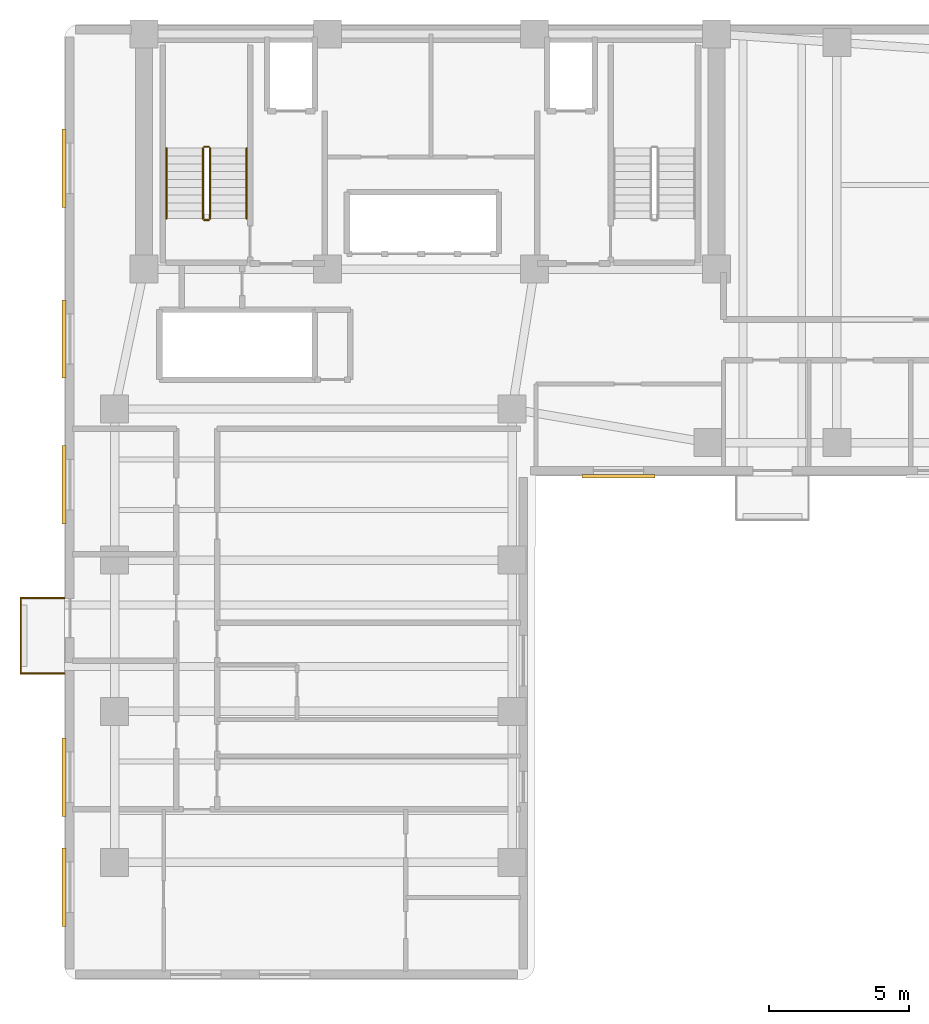
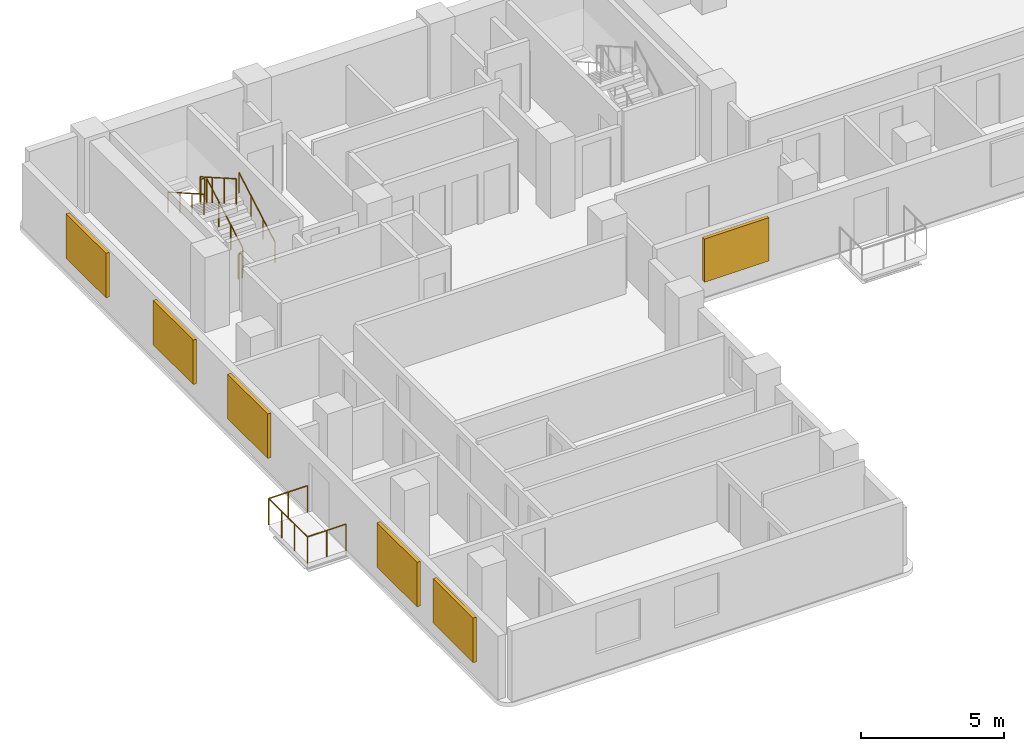
# One storey, part 6 of 7: 9 railings, 6 shading devices.
"""IFC4 building model written with IfcOpenShell, lengths in metres."""

import ifcopenshell
import ifcopenshell.guid

model = None  # the IFC model being written
_history = None  # IfcOwnerHistory: only IFC2X3 demands one
_inside = {}  # id of a spatial element -> (the spatial element, [elements in it])
_under = {}  # id of a project, library or spatial element -> (it, [spatial elements below it])
_declared = {}  # id of a project -> (the project, [libraries it declares])
_typed = {}  # id of a type object -> (the type object, [elements of that type])
_made_of = {}  # id of a material, layer set ... -> (it, [elements and type objects made of it])


def new_model(schema):
    """Start an empty IFC model of exactly this schema.

    Asked for "IFC4X3", IfcOpenShell would pick the latest addendum, in which some entities
    have other attributes; the version numbers below select the first issue.
    IFC2X3 requires an IfcOwnerHistory on every rooted entity: one is made here for all.
    """
    global model, _history
    if schema == "IFC4X3":
        model = ifcopenshell.file(schema_version=(4, 3, 0, 0))
    else:
        model = ifcopenshell.file(schema=schema)
    _inside.clear()
    _under.clear()
    _declared.clear()
    _typed.clear()
    _made_of.clear()
    _history = None
    if model.schema == "IFC2X3":
        org = make("IfcOrganization", Name="unknown")
        user = make(
            "IfcPersonAndOrganization",
            ThePerson=make("IfcPerson", FamilyName="unknown"),
            TheOrganization=org,
        )
        app = make(
            "IfcApplication",
            ApplicationDeveloper=org,
            Version="unknown",
            ApplicationFullName="unknown",
            ApplicationIdentifier="unknown",
        )
        _history = make(
            "IfcOwnerHistory",
            OwningUser=user,
            OwningApplication=app,
            ChangeAction="ADDED",
            CreationDate=0,
        )
    return model


def make(cls, **values):
    """One entity of the class cls with the attributes given. An attribute that is None is left unset."""
    return model.create_entity(
        cls, **{name: value for name, value in values.items() if value is not None}
    )


def rooted(cls, **values):
    """An entity with a GlobalId (a new one), such as an element, a storey or a relation."""
    return make(cls, GlobalId=ifcopenshell.guid.new(), OwnerHistory=_history, **values)


def si_unit(unit_type, name, prefix=None):
    """IfcSIUnit, for example si_unit("LENGTHUNIT", "METRE", prefix="MILLI")."""
    return make("IfcSIUnit", UnitType=unit_type, Prefix=prefix, Name=name)


def assignment(units):
    """IfcUnitAssignment: the units of a project."""
    return None if units is None else make("IfcUnitAssignment", Units=units)


def point(xyz):
    """IfcCartesianPoint."""
    return None if xyz is None else make("IfcCartesianPoint", Coordinates=xyz)


def direction(xyz):
    """IfcDirection."""
    return None if xyz is None else make("IfcDirection", DirectionRatios=xyz)


def frame(location, z_axis=None, x_axis=None):
    """IfcAxis2Placement3D, a coordinate frame: its origin and axes. An axis left out is left unset."""
    return make(
        "IfcAxis2Placement3D",
        Location=point(location),
        Axis=direction(z_axis),
        RefDirection=direction(x_axis),
    )


def frame_2d(location, x_axis=None):
    """IfcAxis2Placement2D, a coordinate frame in the plane: its origin and x axis."""
    return make(
        "IfcAxis2Placement2D", Location=point(location), RefDirection=direction(x_axis)
    )


def origin():
    """The frame at (0, 0, 0) with its axes left unset."""
    return frame((0.0, 0.0, 0.0))


def origin_2d():
    """The frame at (0, 0) in the plane with its x axis left unset."""
    return frame_2d((0.0, 0.0))


def place(relative_to, where):
    """IfcLocalPlacement: puts the frame where relative to a parent placement (None: the world)."""
    return make(
        "IfcLocalPlacement", PlacementRelTo=relative_to, RelativePlacement=where
    )


def context(
    kind, dimensions, precision=None, world=None, true_north=None, identifier=None
):
    """IfcGeometricRepresentationContext, for example the 3D "Model" context."""
    return make(
        "IfcGeometricRepresentationContext",
        ContextIdentifier=identifier,
        ContextType=kind,
        CoordinateSpaceDimension=dimensions,
        Precision=precision,
        WorldCoordinateSystem=world,
        TrueNorth=true_north,
    )


def subcontext(parent, identifier, kind, view, scale=None):
    """IfcGeometricRepresentationSubContext, for example "Body" below "Model"."""
    return make(
        "IfcGeometricRepresentationSubContext",
        ContextIdentifier=identifier,
        ContextType=kind,
        ParentContext=parent,
        TargetScale=scale,
        TargetView=view,
    )


def project(units=None, contexts=None):
    """IfcProject with its units and contexts."""
    return rooted(
        "IfcProject",
        Name="project",
        RepresentationContexts=contexts,
        UnitsInContext=assignment(units),
    )


def spatial(cls, under=None, at=None, **own):
    """A site, building, storey or space (cls), placed at a placement, below another one or the project."""
    s = rooted(cls, ObjectPlacement=at, **own)
    if under is not None:
        _under.setdefault(under.id(), (under, []))[1].append(s)
    return s


def profile(cls, at=None, kind="AREA", **sizes):
    """A parametric profile (cls). Its sizes go by their IFC names, for example OverallWidth=200.0."""
    return make(cls, ProfileType=kind, Position=at, **sizes)


def rectangle(**sizes):
    """IfcRectangleProfileDef."""
    return profile("IfcRectangleProfileDef", **sizes)


def circle(**sizes):
    """IfcCircleProfileDef."""
    return profile("IfcCircleProfileDef", **sizes)


def extrude(swept, where, along, depth):
    """IfcExtrudedAreaSolid: the profile swept, set in the frame where, extruded along a direction by depth."""
    return make(
        "IfcExtrudedAreaSolid",
        SweptArea=swept,
        Position=where,
        ExtrudedDirection=direction(along),
        Depth=depth,
    )


def shape(context_of_items, identifier, shape_type, items):
    """IfcShapeRepresentation: the items that make up one representation, for example the "Body"."""
    return make(
        "IfcShapeRepresentation",
        ContextOfItems=context_of_items,
        RepresentationIdentifier=identifier,
        RepresentationType=shape_type,
        Items=items,
    )


def material(Name=None, Category=None):
    """IfcMaterial."""
    return make("IfcMaterial", Name=Name, Category=Category)


def layer(
    of_material, thickness, ventilated=None, Name=None, Category=None, Priority=None
):
    """IfcMaterialLayer: one layer of a wall or slab, of a material (None: an air gap)."""
    return make(
        "IfcMaterialLayer",
        Material=of_material,
        LayerThickness=thickness,
        IsVentilated=ventilated,
        Name=Name,
        Category=Category,
        Priority=Priority,
    )


def layer_set(layers, Name=None):
    """IfcMaterialLayerSet."""
    return make("IfcMaterialLayerSet", MaterialLayers=layers, LayerSetName=Name)


def made_of(thing, what):
    """Note that an element or type object is made of a material, layer set ...; save() writes the relation."""
    if what is not None:
        _made_of.setdefault(what.id(), (what, []))[1].append(thing)
    return thing


def type_object(cls, material=None, **own):
    """A type object (cls), such as IfcWallType, which elements share."""
    return made_of(rooted(cls, **own), material)


def element(
    cls,
    number,
    at=None,
    inside=None,
    cuts=None,
    type_object=None,
    material=None,
    context=None,
    identifier="Body",
    shape_type=None,
    held_by="IfcProductDefinitionShape",
    body=None,
    shapes=None,
    **own,
):
    """One element of the class cls, such as IfcWall. Its Tag is "e" and its number.

    at: its placement. inside: the storey or other place that contains it. cuts: it is an
    opening in that element (IfcRelVoidsElement). A single representation is given by context,
    identifier, shape_type and body (its items); several are given by shapes. held_by: the class
    of the entity that holds the representations. save() writes the other relations.
    """
    e = rooted(cls, Tag="e%d" % number, ObjectPlacement=at, **own)
    if body is not None:
        shapes = [shape(context, identifier, shape_type, body)]
    if shapes is not None:
        e.Representation = make(held_by, Representations=shapes)
    if inside is not None:
        _inside.setdefault(inside.id(), (inside, []))[1].append(e)
    if cuts is not None:
        rooted(
            "IfcRelVoidsElement", RelatingBuildingElement=cuts, RelatedOpeningElement=e
        )
    if type_object is not None:
        _typed.setdefault(type_object.id(), (type_object, []))[1].append(e)
    return made_of(e, material)


def aggregate(whole, parts):
    """IfcRelAggregates: a whole, such as a stair, and the parts it consists of."""
    return rooted("IfcRelAggregates", RelatingObject=whole, RelatedObjects=parts)


def save(model, path):
    """Write the relations noted so far, then the file.

    IfcRelAggregates (storeys below a building ...), IfcRelContainedInSpatialStructure (elements
    in a storey), IfcRelDefinesByType, IfcRelAssociatesMaterial and IfcRelDeclares: one each for
    every whole, place, type object, material and project.
    """
    for whole, parts in _under.values():
        aggregate(whole, parts)
    for where, things in _inside.values():
        rooted(
            "IfcRelContainedInSpatialStructure",
            RelatedElements=things,
            RelatingStructure=where,
        )
    for kind, things in _typed.values():
        rooted("IfcRelDefinesByType", RelatedObjects=things, RelatingType=kind)
    for what, things in _made_of.values():
        rooted("IfcRelAssociatesMaterial", RelatedObjects=things, RelatingMaterial=what)
    for by, libraries in _declared.values():
        rooted("IfcRelDeclares", RelatingContext=by, RelatedDefinitions=libraries)
    model.write(path)


model = new_model("IFC4")

# Units and contexts
model_context = context("Model", 3, precision=1e-05, world=origin(), true_north=direction((0.0, 1.0)))
body_context = subcontext(model_context, "Body", "Model", "MODEL_VIEW")
ifc_project = project(units=[si_unit("LENGTHUNIT", "METRE"), si_unit("AREAUNIT", "SQUARE_METRE"), si_unit("VOLUMEUNIT", "CUBIC_METRE"), si_unit("PLANEANGLEUNIT", "RADIAN"), si_unit("MASSUNIT", "GRAM", prefix="KILO")], contexts=[model_context])

# Site, building, storey
site_placement = place(None, origin())
site = spatial("IfcSite", under=ifc_project, at=site_placement, CompositionType="ELEMENT")
building_placement = place(site_placement, origin())
building = spatial("IfcBuilding", under=site, at=building_placement, Name="Kuzgunbayir Cultural Tower", CompositionType="ELEMENT")
storey_placement = place(building_placement, frame((0.0, 0.0, 139.39990234375)))
storey = spatial("IfcBuildingStorey", under=building, at=storey_placement, Name="L40", CompositionType="ELEMENT", Elevation=139.39990234375)

# Railings
ifc_material_1 = material(Name="Laminated Glass and Stainless Steel", Category="steel")
ifc_layer_1 = layer(ifc_material_1, 0.080078125)
ifc_layer_set_1 = layer_set([ifc_layer_1], Name="Laminated Glass and Stainless Steel")
railing_type_1 = type_object("IfcRailingType", Name="RLG-BAL-115", PredefinedType="BALUSTRADE", material=ifc_layer_set_1)
railing_1_placement = place(storey_placement, frame((3.60009765625, 19.35009765625, 0.0)))
element("IfcRailing", 1, at=railing_1_placement, inside=storey, type_object=railing_type_1, Name="L40 Balcony Guard BAL-L40-WA2 Segment 1", PredefinedType="BALUSTRADE", context=body_context, shape_type="SweptSolid", body=[
    extrude(circle(Radius=0.02392578125, at=origin_2d()), frame((0.0, 0.0, 1.1259765625), z_axis=(-1.0, 0.0, 0.0), x_axis=(0.0, -1.0, 0.0)), (0.0, 0.0, 1.0), 1.56005859375),
    extrude(circle(Radius=0.02099609375, at=origin_2d()), origin(), (0.0, 0.0, 1.0), 1.101806640625),
    extrude(circle(Radius=0.02099609375, at=origin_2d()), frame((-0.780029296875, 0.0, 0.0)), (0.0, 0.0, 1.0), 1.101806640625),
    extrude(circle(Radius=0.02099609375, at=origin_2d()), frame((-1.56005859375, 0.0, 0.0)), (0.0, 0.0, 1.0), 1.101806640625),
])
railing_2_placement = place(storey_placement, frame((2.0400390625, 19.35009765625, 0.0)))
element("IfcRailing", 2, at=railing_2_placement, inside=storey, type_object=railing_type_1, Name="L40 Balcony Guard BAL-L40-WA2 Segment 2", PredefinedType="BALUSTRADE", context=body_context, shape_type="SweptSolid", body=[
    extrude(circle(Radius=0.02392578125, at=origin_2d()), frame((0.0, 0.0, 1.1259765625), z_axis=(0.0, 1.0, 0.0), x_axis=(-1.0, 0.0, 0.0)), (0.0, 0.0, 1.0), 2.699951171875),
    extrude(circle(Radius=0.02099609375, at=origin_2d()), origin(), (0.0, 0.0, 1.0), 1.101806640625),
    extrude(circle(Radius=0.02099609375, at=origin_2d()), frame((0.0, 0.89990234375, 0.0)), (0.0, 0.0, 1.0), 1.101806640625),
    extrude(circle(Radius=0.02099609375, at=origin_2d()), frame((0.0, 1.800048828125, 0.0)), (0.0, 0.0, 1.0), 1.101806640625),
    extrude(circle(Radius=0.02099609375, at=origin_2d()), frame((0.0, 2.699951171875, 0.0)), (0.0, 0.0, 1.0), 1.101806640625),
])
railing_3_placement = place(storey_placement, frame((2.0400390625, 22.050048828125, 0.0)))
element("IfcRailing", 3, at=railing_3_placement, inside=storey, type_object=railing_type_1, Name="L40 Balcony Guard BAL-L40-WA2 Segment 3", PredefinedType="BALUSTRADE", context=body_context, shape_type="SweptSolid", body=[
    extrude(circle(Radius=0.02392578125, at=origin_2d()), frame((0.0, 0.0, 1.1259765625), z_axis=(1.0, 0.0, 0.0), x_axis=(0.0, 1.0, 0.0)), (0.0, 0.0, 1.0), 1.56005859375),
    extrude(circle(Radius=0.02099609375, at=origin_2d()), origin(), (0.0, 0.0, 1.0), 1.101806640625),
    extrude(circle(Radius=0.02099609375, at=origin_2d()), frame((0.780029296875, 0.0, 0.0)), (0.0, 0.0, 1.0), 1.101806640625),
    extrude(circle(Radius=0.02099609375, at=origin_2d()), frame((1.56005859375, 0.0, 0.0)), (0.0, 0.0, 1.0), 1.101806640625),
])
ifc_material_2 = material(Name="Brushed Stainless Steel", Category="steel")
ifc_layer_2 = layer(ifc_material_2, 0.050048828125)
ifc_layer_set_2 = layer_set([ifc_layer_2], Name="Brushed Stainless Steel")
railing_type_2 = type_object("IfcRailingType", Name="RLG-STAIR-HANDRAIL", PredefinedType="HANDRAIL", material=ifc_layer_set_2)
railing_4_placement = place(storey_placement, frame((10.110107421875, 35.60009765625, 0.16015625)))
element("IfcRailing", 4, at=railing_4_placement, inside=storey, type_object=railing_type_2, Name="L40 ST-1 stair handrail 1", PredefinedType="HANDRAIL", context=body_context, shape_type="SweptSolid", body=[
    extrude(circle(Radius=0.02392578125, at=origin_2d()), frame((0.0, 0.0, 0.8759765625), z_axis=(0.0, 0.868253494771, 0.496120820787), x_axis=(-1.0, 0.0, 0.0)), (0.0, 0.0, 1.0), 2.90234375),
    extrude(circle(Radius=0.02099609375, at=origin_2d()), origin(), (0.0, 0.0, 1.0), 0.851806640625),
    extrude(circle(Radius=0.02099609375, at=origin_2d()), frame((0.0, 0.840087890625, 0.47998046875)), (0.0, 0.0, 1.0), 0.851806640625),
    extrude(circle(Radius=0.02099609375, at=origin_2d()), frame((0.0, 1.679931640625, 0.9599609375)), (0.0, 0.0, 1.0), 0.851806640625),
    extrude(circle(Radius=0.02099609375, at=origin_2d()), frame((0.0, 2.52001953125, 1.43994140625)), (0.0, 0.0, 1.0), 0.851806640625),
])
railing_5_placement = place(storey_placement, frame((7.25, 38.1201171875, 1.760009765625)))
element("IfcRailing", 5, at=railing_5_placement, inside=storey, type_object=railing_type_2, Name="L40 ST-1 stair handrail 2", PredefinedType="HANDRAIL", context=body_context, shape_type="SweptSolid", body=[
    extrude(circle(Radius=0.02392578125, at=origin_2d()), frame((0.0, 0.0, 0.8759765625), z_axis=(0.0, -0.868217259934, 0.496184229447), x_axis=(1.0, 0.0, 0.0)), (0.0, 0.0, 1.0), 2.902587890625),
    extrude(circle(Radius=0.02099609375, at=origin_2d()), origin(), (0.0, 0.0, 1.0), 0.851806640625),
    extrude(circle(Radius=0.02099609375, at=origin_2d()), frame((0.0, -0.840087890625, 0.47998046875)), (0.0, 0.0, 1.0), 0.851806640625),
    extrude(circle(Radius=0.02099609375, at=origin_2d()), frame((0.0, -1.679931640625, 0.960205078125)), (0.0, 0.0, 1.0), 0.851806640625),
    extrude(circle(Radius=0.02099609375, at=origin_2d()), frame((0.0, -2.52001953125, 1.440185546875)), (0.0, 0.0, 1.0), 0.851806640625),
])
ifc_material_3 = material(Name="Painted Steel Balustrade", Category="steel")
ifc_layer_3 = layer(ifc_material_3, 0.06005859375)
ifc_layer_set_3 = layer_set([ifc_layer_3], Name="Painted Steel Balustrade")
railing_type_3 = type_object("IfcRailingType", Name="RLG-WELL-GUARD", PredefinedType="GUARDRAIL", material=ifc_layer_set_3)
railing_6_placement = place(storey_placement, frame((8.81005859375, 35.60009765625, 0.16015625)))
element("IfcRailing", 6, at=railing_6_placement, inside=storey, type_object=railing_type_3, Name="L40 ST-1 stair guard 1", PredefinedType="GUARDRAIL", context=body_context, shape_type="SweptSolid", body=[
    extrude(circle(Radius=0.02392578125, at=origin_2d()), frame((0.0, 0.0, 1.076171875), z_axis=(0.0, 0.868253494771, 0.496120820787), x_axis=(-1.0, 0.0, 0.0)), (0.0, 0.0, 1.0), 2.90234375),
    extrude(circle(Radius=0.02099609375, at=origin_2d()), origin(), (0.0, 0.0, 1.0), 1.052001953125),
    extrude(circle(Radius=0.02099609375, at=origin_2d()), frame((0.0, 0.840087890625, 0.47998046875)), (0.0, 0.0, 1.0), 1.052001953125),
    extrude(circle(Radius=0.02099609375, at=origin_2d()), frame((0.0, 1.679931640625, 0.9599609375)), (0.0, 0.0, 1.0), 1.052001953125),
    extrude(circle(Radius=0.02099609375, at=origin_2d()), frame((0.0, 2.52001953125, 1.43994140625)), (0.0, 0.0, 1.0), 1.052001953125),
])
railing_7_placement = place(storey_placement, frame((8.760009765625, 38.169921875, 1.60009765625)))
element("IfcRailing", 7, at=railing_7_placement, inside=storey, type_object=railing_type_3, Name="L40 ST-1 stair guard 2", PredefinedType="GUARDRAIL", context=body_context, shape_type="SweptSolid", body=[
    extrude(circle(Radius=0.02392578125, at=origin_2d()), frame((0.0, 0.0, 1.076171875), z_axis=(-1.0, 0.0, 0.0), x_axis=(0.0, -1.0, 0.0)), (0.0, 0.0, 1.0), 0.159912109375),
    extrude(circle(Radius=0.02099609375, at=origin_2d()), origin(), (0.0, 0.0, 1.0), 1.052001953125),
    extrude(circle(Radius=0.02099609375, at=origin_2d()), frame((-0.159912109375, 0.0, 0.0)), (0.0, 0.0, 1.0), 1.052001953125),
])
railing_8_placement = place(storey_placement, frame((8.550048828125, 38.1201171875, 1.760009765625)))
element("IfcRailing", 8, at=railing_8_placement, inside=storey, type_object=railing_type_3, Name="L40 ST-1 stair guard 3", PredefinedType="GUARDRAIL", context=body_context, shape_type="SweptSolid", body=[
    extrude(circle(Radius=0.02392578125, at=origin_2d()), frame((0.0, 0.0, 1.076171875), z_axis=(0.0, -0.868217259934, 0.496184229447), x_axis=(1.0, 0.0, 0.0)), (0.0, 0.0, 1.0), 2.902587890625),
    extrude(circle(Radius=0.02099609375, at=origin_2d()), origin(), (0.0, 0.0, 1.0), 1.052001953125),
    extrude(circle(Radius=0.02099609375, at=origin_2d()), frame((0.0, -0.840087890625, 0.47998046875)), (0.0, 0.0, 1.0), 1.052001953125),
    extrude(circle(Radius=0.02099609375, at=origin_2d()), frame((0.0, -1.679931640625, 0.960205078125)), (0.0, 0.0, 1.0), 1.052001953125),
    extrude(circle(Radius=0.02099609375, at=origin_2d()), frame((0.0, -2.52001953125, 1.440185546875)), (0.0, 0.0, 1.0), 1.052001953125),
])
railing_9_placement = place(storey_placement, frame((8.760009765625, 35.550048828125, 0.0)))
element("IfcRailing", 9, at=railing_9_placement, inside=storey, type_object=railing_type_3, Name="L40 ST-1 stair guard 4", PredefinedType="GUARDRAIL", context=body_context, shape_type="SweptSolid", body=[
    extrude(circle(Radius=0.02392578125, at=origin_2d()), frame((0.0, 0.0, 1.076171875), z_axis=(-1.0, 0.0, 0.0), x_axis=(0.0, -1.0, 0.0)), (0.0, 0.0, 1.0), 0.159912109375),
    extrude(circle(Radius=0.02099609375, at=origin_2d()), origin(), (0.0, 0.0, 1.0), 1.052001953125),
    extrude(circle(Radius=0.02099609375, at=origin_2d()), frame((-0.159912109375, 0.0, 0.0)), (0.0, 0.0, 1.0), 1.052001953125),
])

# Shading devices
ifc_material_4 = material(Name="Perforated Bronze-Anodised Aluminium", Category="aluminium")
shading_device_type = type_object("IfcShadingDeviceType", Name="SHD-SOLAR-BRONZE", PredefinedType="JALOUSIE", material=ifc_material_4)
for number, where, z_axis, x_axis, name in (
    (10, (3.590087890625, 11.719970703125, 0.710205078125), (0.0, 0.0, 1.0), (1.0, 0.0, 0.0), "L40 Perforated Bronze Solar Screen WAW1"),
    (11, (3.590087890625, 15.64990234375, 0.710205078125), (0.0, 0.0, 1.0), (1.0, 0.0, 0.0), "L40 Perforated Bronze Solar Screen WAW6"),
    (12, (3.590087890625, 26.10009765625, 0.710205078125), (0.0, 0.0, 1.0), (1.0, 0.0, 0.0), "L40 Perforated Bronze Solar Screen WAW7"),
    (13, (3.590087890625, 31.300048828125, 0.710205078125), (0.0, 0.0, 1.0), (1.0, 0.0, 0.0), "L40 Perforated Bronze Solar Screen WAW8"),
    (14, (3.590087890625, 37.39990234375, 0.710205078125), (0.0, 0.0, 1.0), (1.0, 0.0, 0.0), "L40 Perforated Bronze Solar Screen WAW9"),
):
    element("IfcShadingDevice", number, at=place(storey_placement, frame(where, z_axis=z_axis, x_axis=x_axis)), inside=storey, type_object=shading_device_type, Name=name, PredefinedType="JALOUSIE", context=body_context, shape_type="SweptSolid", body=[
        extrude(rectangle(XDim=0.139892578125, YDim=2.800048828125, at=origin_2d()), origin(), (0.0, 0.0, 1.0), 1.89990234375),
    ])
shading_device_placement = place(storey_placement, frame((23.39990234375, 26.39990234375, 0.735107421875), z_axis=(0.0, 0.0, 1.0), x_axis=(1.0, 0.0, 0.0)))
element("IfcShadingDevice", 15, at=shading_device_placement, inside=storey, type_object=shading_device_type, Name="L40 Solar Screen WBS12", PredefinedType="JALOUSIE", context=body_context, shape_type="SweptSolid", body=[
    extrude(rectangle(XDim=2.60009765625, YDim=0.139892578125, at=origin_2d()), origin(), (0.0, 0.0, 1.0), 1.85009765625),
])

save(model, "model.ifc")
